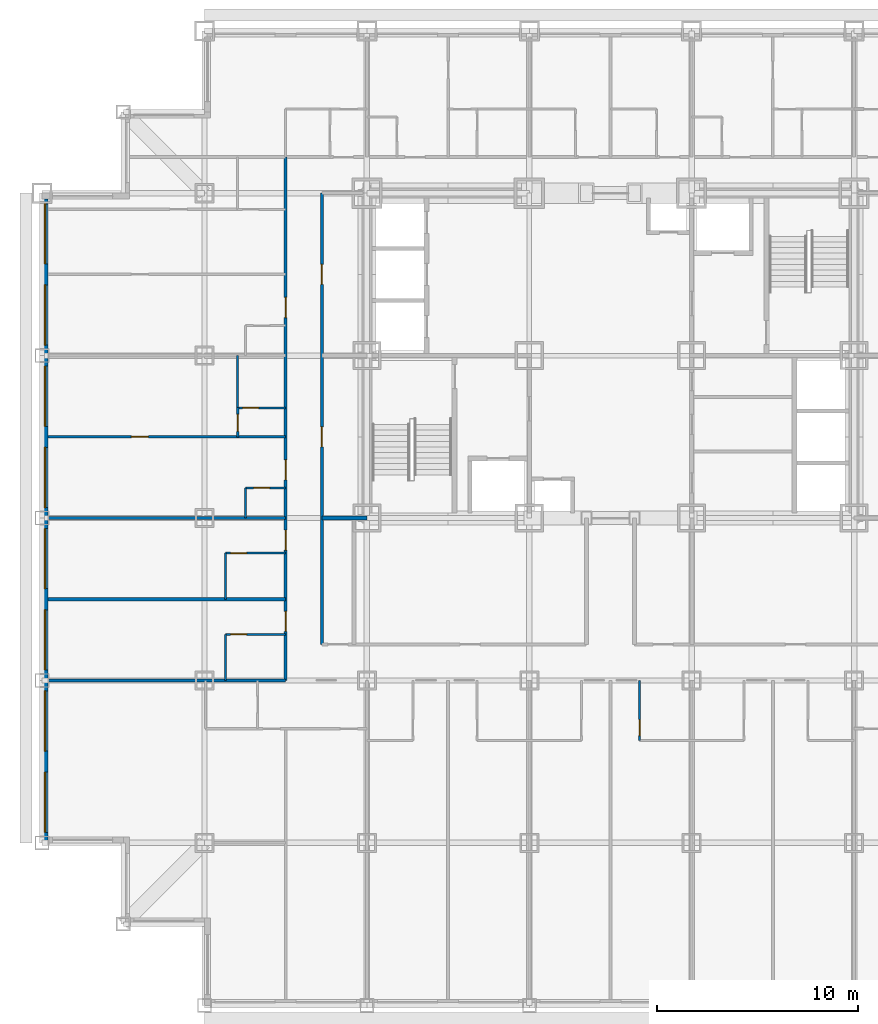
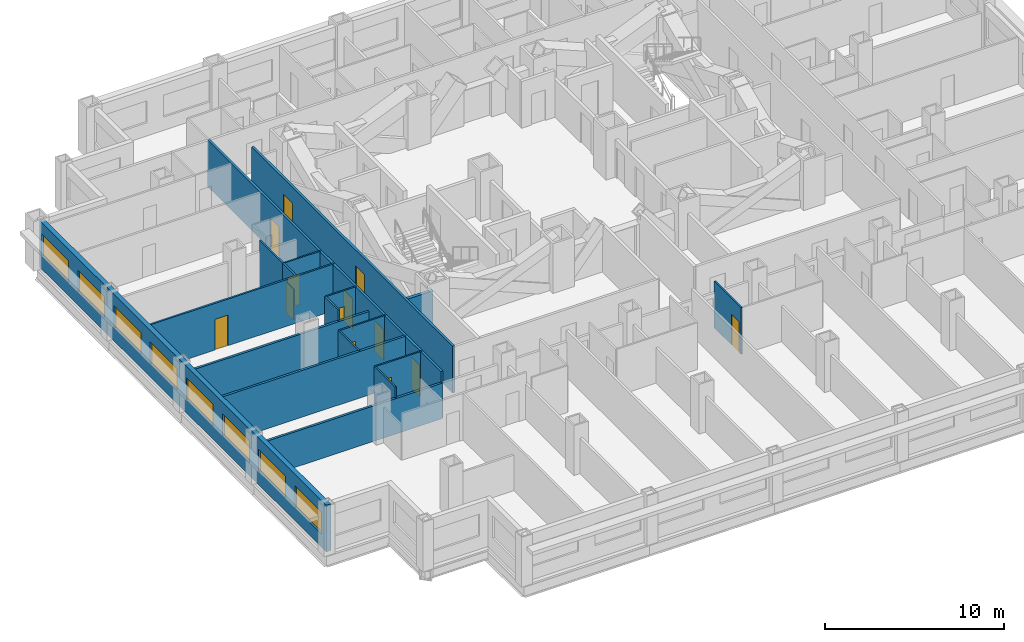
# One storey, part 4 of 11: 18 walls, 13 doors, 8 windows, 21 openings.
"""IFC4 building model written with IfcOpenShell, lengths in metres."""

from ifc_helpers import new_model, si_unit, direction, frame, frame_2d, origin, place, context, subcontext, project, spatial, rectangle, extrude, material, layer, layer_set, type_object, element, fill, save


model = new_model("IFC4")

# Units and contexts
model_context = context("Model", 3, precision=1e-05, world=origin(), true_north=direction((0.0, 1.0)))
body_context = subcontext(model_context, "Body", "Model", "MODEL_VIEW")
ifc_project = project(units=[si_unit("LENGTHUNIT", "METRE"), si_unit("AREAUNIT", "SQUARE_METRE"), si_unit("VOLUMEUNIT", "CUBIC_METRE"), si_unit("PLANEANGLEUNIT", "RADIAN"), si_unit("MASSUNIT", "GRAM", prefix="KILO")], contexts=[model_context])

# Site, building, storey
site_placement = place(None, origin())
site = spatial("IfcSite", under=ifc_project, at=site_placement, CompositionType="ELEMENT")
building_placement = place(site_placement, origin())
building = spatial("IfcBuilding", under=site, at=building_placement, Name="Kopane Lantern Tower", CompositionType="ELEMENT")
storey_placement = place(building_placement, frame((0.0, 0.0, 84.0)))
storey = spatial("IfcBuildingStorey", under=building, at=storey_placement, Name="L21", CompositionType="ELEMENT", Elevation=84.0)

# Wall, opening, door
ifc_material_1 = material(Name="Gypsum board on steel studs", Category="steel")
ifc_layer_1 = layer(ifc_material_1, 0.1201171875)
ifc_layer_set_1 = layer_set([ifc_layer_1], Name="APARTMENT INTERNAL WALL 120")
wall_type_1 = type_object("IfcWallType", Name="APARTMENT INTERNAL WALL 120", PredefinedType="PARTITIONING", material=ifc_layer_set_1)
wall_1_placement = place(storey_placement, frame((12.14990234375, 28.35009765625, 0.0), z_axis=(0.0, 0.0, 1.0), x_axis=(-1.0, 0.0, 0.0)))
wall_1 = element("IfcWall", 1, at=wall_1_placement, inside=storey, type_object=wall_type_1, Name="Apartment Internal Wall 120 L21", PredefinedType="PARTITIONING", context=body_context, shape_type="SweptSolid", body=[
    extrude(rectangle(XDim=11.849853515625, YDim=0.1201171875, at=frame_2d((5.9248046875, 0.0))), origin(), (0.0, 0.0, 1.0), 3.18994140625),
])
opening_1_placement = place(wall_1_placement, frame((6.85009765625, 0.0, 0.0)))
opening_1 = element("IfcOpeningElement", 2, at=opening_1_placement, cuts=wall_1, Name="Opening L21-040", PredefinedType="OPENING", context=body_context, shape_type="SweptSolid", body=[
    extrude(rectangle(XDim=0.85009765625, YDim=2.10009765625, at=frame_2d((0.425048828125, 1.050048828125))), frame((0.0, 0.070068359375, 0.0), z_axis=(0.0, -1.0, 0.0), x_axis=(1.0, 0.0, 0.0)), (0.0, 0.0, 1.0), 0.14013671875),
])
ifc_material_2 = material(Name="Timber door set", Category="wood")
door_type_1 = type_object("IfcDoorType", Name="DOOR D4 850x2100", OperationType="SINGLE_SWING_LEFT", PredefinedType="DOOR", material=ifc_material_2)
door_1_placement = place(opening_1_placement, origin())
door_1 = element("IfcDoor", 3, at=door_1_placement, inside=storey, type_object=door_type_1, Name="Door L21-040", OperationType="SINGLE_SWING_RIGHT", OverallHeight=2.10009765625, OverallWidth=0.85009765625, PredefinedType="DOOR", context=body_context, shape_type="SweptSolid", body=[
    extrude(rectangle(XDim=0.85009765625, YDim=2.10009765625, at=frame_2d((0.425048828125, 1.050048828125))), frame((0.0, 0.02490234375, 0.0), z_axis=(0.0, -1.0, 0.0), x_axis=(1.0, 0.0, 0.0)), (0.0, 0.0, 1.0), 0.050048828125),
])
fill(opening_1, door_1)

wall_2_placement = place(storey_placement, frame((9.75, 28.35009765625, 0.0), z_axis=(0.0, 0.0, 1.0), x_axis=(0.0, 1.0, 0.0)))
wall_2 = element("IfcWall", 4, at=wall_2_placement, inside=storey, type_object=wall_type_1, Name="Apartment Internal Wall 120 L21", PredefinedType="PARTITIONING", context=body_context, shape_type="SweptSolid", body=[
    extrude(rectangle(XDim=1.4599609375, YDim=0.1201171875, at=frame_2d((0.72998046875, 0.0))), origin(), (0.0, 0.0, 1.0), 3.18994140625),
])
opening_2_placement = place(wall_2_placement, frame((0.27490234375, 0.0, 0.0)))
opening_2 = element("IfcOpeningElement", 5, at=opening_2_placement, cuts=wall_2, Name="Opening L21-073", PredefinedType="OPENING", context=body_context, shape_type="SweptSolid", body=[
    extrude(rectangle(XDim=0.85009765625, YDim=2.10009765625, at=frame_2d((0.425048828125, 1.050048828125))), frame((0.0, 0.070068359375, 0.0), z_axis=(0.0, -1.0, 0.0), x_axis=(1.0, 0.0, 0.0)), (0.0, 0.0, 1.0), 0.14013671875),
])
door_2_placement = place(opening_2_placement, origin())
door_2 = element("IfcDoor", 6, at=door_2_placement, inside=storey, type_object=door_type_1, Name="Door L21-073", OperationType="SINGLE_SWING_LEFT", OverallHeight=2.10009765625, OverallWidth=0.85009765625, PredefinedType="DOOR", context=body_context, shape_type="SweptSolid", body=[
    extrude(rectangle(XDim=0.85009765625, YDim=2.10009765625, at=frame_2d((0.425048828125, 1.050048828125))), frame((0.0, 0.02490234375, 0.0), z_axis=(0.0, -1.0, 0.0), x_axis=(1.0, 0.0, 0.0)), (0.0, 0.0, 1.0), 0.050048828125),
])
fill(opening_2, door_2)

ifc_material_3 = material(Name="Moisture-resistant board on steel studs", Category="steel")
ifc_layer_2 = layer(ifc_material_3, 0.10009765625)
ifc_layer_set_2 = layer_set([ifc_layer_2], Name="BATHROOM WALL 100")
wall_type_2 = type_object("IfcWallType", Name="BATHROOM WALL 100", PredefinedType="PARTITIONING", material=ifc_layer_set_2)
wall_3_placement = place(storey_placement, frame((29.800048828125, 16.199951171875, 0.0), z_axis=(0.0, 0.0, 1.0), x_axis=(0.0, -1.0, 0.0)))
wall_3 = element("IfcWall", 7, at=wall_3_placement, inside=storey, type_object=wall_type_2, Name="Bathroom Wall 100 L21", PredefinedType="PARTITIONING", context=body_context, shape_type="SweptSolid", body=[
    extrude(rectangle(XDim=3.0, YDim=0.10009765625, at=frame_2d((1.5, 0.0))), origin(), (0.0, 0.0, 1.0), 3.18994140625),
])
opening_3_placement = place(wall_3_placement, frame((1.949951171875, 0.0, 0.0)))
opening_3 = element("IfcOpeningElement", 8, at=opening_3_placement, cuts=wall_3, Name="Opening L21-015", PredefinedType="OPENING", context=body_context, shape_type="SweptSolid", body=[
    extrude(rectangle(XDim=0.800048828125, YDim=2.10009765625, at=frame_2d((0.39990234375, 1.050048828125))), frame((0.0, 0.06005859375, 0.0), z_axis=(0.0, -1.0, 0.0), x_axis=(1.0, 0.0, 0.0)), (0.0, 0.0, 1.0), 0.1201171875),
])
ifc_material_4 = material(Name="Timber door set", Category="wood")
door_type_2 = type_object("IfcDoorType", Name="DOOR D2 800x2100", OperationType="SINGLE_SWING_LEFT", PredefinedType="DOOR", material=ifc_material_4)
door_3_placement = place(opening_3_placement, origin())
door_3 = element("IfcDoor", 9, at=door_3_placement, inside=storey, type_object=door_type_2, Name="Door L21-015", OperationType="SINGLE_SWING_RIGHT", OverallHeight=2.10009765625, OverallWidth=0.800048828125, PredefinedType="DOOR", context=body_context, shape_type="SweptSolid", body=[
    extrude(rectangle(XDim=0.800048828125, YDim=2.10009765625, at=frame_2d((0.39990234375, 1.050048828125))), frame((0.0, 0.02490234375, 0.0), z_axis=(0.0, -1.0, 0.0), x_axis=(1.0, 0.0, 0.0)), (0.0, 0.0, 1.0), 0.050048828125),
])
fill(opening_3, door_3)

# Wall
wall_4_placement = place(storey_placement, frame((9.14990234375, 16.199951171875, 0.0), z_axis=(0.0, 0.0, 1.0), x_axis=(0.0, 1.0, 0.0)))
element("IfcWall", 10, at=wall_4_placement, inside=storey, type_object=wall_type_2, Name="Bathroom Wall 100 L21", PredefinedType="PARTITIONING", context=body_context, shape_type="SweptSolid", body=[
    extrude(rectangle(XDim=2.300048828125, YDim=0.10009765625, at=frame_2d((1.14990234375, 0.0))), origin(), (0.0, 0.0, 1.0), 3.18994140625),
])

# Wall, opening, door
wall_5_placement = place(storey_placement, frame((12.14990234375, 18.5, 0.0), z_axis=(0.0, 0.0, 1.0), x_axis=(-1.0, 0.0, 0.0)))
wall_5 = element("IfcWall", 11, at=wall_5_placement, inside=storey, type_object=wall_type_2, Name="Bathroom Wall 100 L21", PredefinedType="PARTITIONING", context=body_context, shape_type="SweptSolid", body=[
    extrude(rectangle(XDim=3.0, YDim=0.10009765625, at=frame_2d((1.5, 0.0))), origin(), (0.0, 0.0, 1.0), 3.18994140625),
])
opening_4_placement = place(wall_5_placement, frame((1.949951171875, 0.0, 0.0)))
opening_4 = element("IfcOpeningElement", 12, at=opening_4_placement, cuts=wall_5, Name="Opening L21-033", PredefinedType="OPENING", context=body_context, shape_type="SweptSolid", body=[
    extrude(rectangle(XDim=0.800048828125, YDim=2.10009765625, at=frame_2d((0.39990234375, 1.050048828125))), frame((0.0, 0.06005859375, 0.0), z_axis=(0.0, -1.0, 0.0), x_axis=(1.0, 0.0, 0.0)), (0.0, 0.0, 1.0), 0.1201171875),
])
door_4_placement = place(opening_4_placement, origin())
door_4 = element("IfcDoor", 13, at=door_4_placement, inside=storey, type_object=door_type_2, Name="Door L21-033", OperationType="SINGLE_SWING_RIGHT", OverallHeight=2.10009765625, OverallWidth=0.800048828125, PredefinedType="DOOR", context=body_context, shape_type="SweptSolid", body=[
    extrude(rectangle(XDim=0.800048828125, YDim=2.10009765625, at=frame_2d((0.39990234375, 1.050048828125))), frame((0.0, 0.02490234375, 0.0), z_axis=(0.0, -1.0, 0.0), x_axis=(1.0, 0.0, 0.0)), (0.0, 0.0, 1.0), 0.050048828125),
])
fill(opening_4, door_4)

# Wall
wall_6_placement = place(storey_placement, frame((9.14990234375, 20.25, 0.0), z_axis=(0.0, 0.0, 1.0), x_axis=(0.0, 1.0, 0.0)))
element("IfcWall", 14, at=wall_6_placement, inside=storey, type_object=wall_type_2, Name="Bathroom Wall 100 L21", PredefinedType="PARTITIONING", context=body_context, shape_type="SweptSolid", body=[
    extrude(rectangle(XDim=2.300048828125, YDim=0.10009765625, at=frame_2d((1.14990234375, 0.0))), origin(), (0.0, 0.0, 1.0), 3.18994140625),
])

# Wall, opening, door
wall_7_placement = place(storey_placement, frame((12.14990234375, 22.550048828125, 0.0), z_axis=(0.0, 0.0, 1.0), x_axis=(-1.0, 0.0, 0.0)))
wall_7 = element("IfcWall", 15, at=wall_7_placement, inside=storey, type_object=wall_type_2, Name="Bathroom Wall 100 L21", PredefinedType="PARTITIONING", context=body_context, shape_type="SweptSolid", body=[
    extrude(rectangle(XDim=3.0, YDim=0.10009765625, at=frame_2d((1.5, 0.0))), origin(), (0.0, 0.0, 1.0), 3.18994140625),
])
opening_5_placement = place(wall_7_placement, frame((1.949951171875, 0.0, 0.0)))
opening_5 = element("IfcOpeningElement", 16, at=opening_5_placement, cuts=wall_7, Name="Opening L21-035", PredefinedType="OPENING", context=body_context, shape_type="SweptSolid", body=[
    extrude(rectangle(XDim=0.800048828125, YDim=2.10009765625, at=frame_2d((0.39990234375, 1.050048828125))), frame((0.0, 0.06005859375, 0.0), z_axis=(0.0, -1.0, 0.0), x_axis=(1.0, 0.0, 0.0)), (0.0, 0.0, 1.0), 0.1201171875),
])
door_5_placement = place(opening_5_placement, origin())
door_5 = element("IfcDoor", 17, at=door_5_placement, inside=storey, type_object=door_type_2, Name="Door L21-035", OperationType="SINGLE_SWING_RIGHT", OverallHeight=2.10009765625, OverallWidth=0.800048828125, PredefinedType="DOOR", context=body_context, shape_type="SweptSolid", body=[
    extrude(rectangle(XDim=0.800048828125, YDim=2.10009765625, at=frame_2d((0.39990234375, 1.050048828125))), frame((0.0, 0.02490234375, 0.0), z_axis=(0.0, -1.0, 0.0), x_axis=(1.0, 0.0, 0.0)), (0.0, 0.0, 1.0), 0.050048828125),
])
fill(opening_5, door_5)

# Wall
wall_8_placement = place(storey_placement, frame((10.14990234375, 24.300048828125, 0.0), z_axis=(0.0, 0.0, 1.0), x_axis=(0.0, 1.0, 0.0)))
element("IfcWall", 18, at=wall_8_placement, inside=storey, type_object=wall_type_2, Name="Bathroom Wall 100 L21", PredefinedType="PARTITIONING", context=body_context, shape_type="SweptSolid", body=[
    extrude(rectangle(XDim=1.5, YDim=0.10009765625, at=frame_2d((0.75, 0.0))), origin(), (0.0, 0.0, 1.0), 3.18994140625),
])

# Wall, opening, door
wall_9_placement = place(storey_placement, frame((12.14990234375, 25.800048828125, 0.0), z_axis=(0.0, 0.0, 1.0), x_axis=(-1.0, 0.0, 0.0)))
wall_9 = element("IfcWall", 19, at=wall_9_placement, inside=storey, type_object=wall_type_2, Name="Bathroom Wall 100 L21", PredefinedType="PARTITIONING", context=body_context, shape_type="SweptSolid", body=[
    extrude(rectangle(XDim=2.0, YDim=0.10009765625, at=frame_2d((1.0, 0.0))), origin(), (0.0, 0.0, 1.0), 3.18994140625),
])
opening_6_placement = place(wall_9_placement, frame((0.800048828125, 0.0, 0.0)))
opening_6 = element("IfcOpeningElement", 20, at=opening_6_placement, cuts=wall_9, Name="Opening L21-037", PredefinedType="OPENING", context=body_context, shape_type="SweptSolid", body=[
    extrude(rectangle(XDim=0.800048828125, YDim=2.10009765625, at=frame_2d((0.39990234375, 1.050048828125))), frame((0.0, 0.06005859375, 0.0), z_axis=(0.0, -1.0, 0.0), x_axis=(1.0, 0.0, 0.0)), (0.0, 0.0, 1.0), 0.1201171875),
])
door_6_placement = place(opening_6_placement, origin())
door_6 = element("IfcDoor", 21, at=door_6_placement, inside=storey, type_object=door_type_2, Name="Door L21-037", OperationType="SINGLE_SWING_RIGHT", OverallHeight=2.10009765625, OverallWidth=0.800048828125, PredefinedType="DOOR", context=body_context, shape_type="SweptSolid", body=[
    extrude(rectangle(XDim=0.800048828125, YDim=2.10009765625, at=frame_2d((0.39990234375, 1.050048828125))), frame((0.0, 0.02490234375, 0.0), z_axis=(0.0, -1.0, 0.0), x_axis=(1.0, 0.0, 0.0)), (0.0, 0.0, 1.0), 0.050048828125),
])
fill(opening_6, door_6)

# Wall
wall_10_placement = place(storey_placement, frame((9.75, 29.800048828125, 0.0), z_axis=(0.0, 0.0, 1.0), x_axis=(0.0, 1.0, 0.0)))
element("IfcWall", 22, at=wall_10_placement, inside=storey, type_object=wall_type_2, Name="Bathroom Wall 100 L21", PredefinedType="PARTITIONING", context=body_context, shape_type="SweptSolid", body=[
    extrude(rectangle(XDim=2.599853515625, YDim=0.10009765625, at=frame_2d((1.2998046875, 0.0))), origin(), (0.0, 0.0, 1.0), 3.18994140625),
])

# Wall, opening, door
wall_11_placement = place(storey_placement, frame((12.14990234375, 29.800048828125, 0.0), z_axis=(0.0, 0.0, 1.0), x_axis=(-1.0, 0.0, 0.0)))
wall_11 = element("IfcWall", 23, at=wall_11_placement, inside=storey, type_object=wall_type_2, Name="Bathroom Wall 100 L21", PredefinedType="PARTITIONING", context=body_context, shape_type="SweptSolid", body=[
    extrude(rectangle(XDim=2.39990234375, YDim=0.10009765625, at=frame_2d((1.199951171875, 0.0))), origin(), (0.0, 0.0, 1.0), 3.18994140625),
])
opening_7_placement = place(wall_11_placement, frame((1.35009765625, 0.0, 0.0)))
opening_7 = element("IfcOpeningElement", 24, at=opening_7_placement, cuts=wall_11, Name="Opening L21-039", PredefinedType="OPENING", context=body_context, shape_type="SweptSolid", body=[
    extrude(rectangle(XDim=0.800048828125, YDim=2.10009765625, at=frame_2d((0.39990234375, 1.050048828125))), frame((0.0, 0.06005859375, 0.0), z_axis=(0.0, -1.0, 0.0), x_axis=(1.0, 0.0, 0.0)), (0.0, 0.0, 1.0), 0.1201171875),
])
door_7_placement = place(opening_7_placement, origin())
door_7 = element("IfcDoor", 25, at=door_7_placement, inside=storey, type_object=door_type_2, Name="Door L21-039", OperationType="SINGLE_SWING_RIGHT", OverallHeight=2.10009765625, OverallWidth=0.800048828125, PredefinedType="DOOR", context=body_context, shape_type="SweptSolid", body=[
    extrude(rectangle(XDim=0.800048828125, YDim=2.10009765625, at=frame_2d((0.39990234375, 1.050048828125))), frame((0.0, 0.02490234375, 0.0), z_axis=(0.0, -1.0, 0.0), x_axis=(1.0, 0.0, 0.0)), (0.0, 0.0, 1.0), 0.050048828125),
])
fill(opening_7, door_7)

# Wall, openings, doors
ifc_material_5 = material(Name="Gypsum board on steel studs", Category="steel")
ifc_layer_3 = layer(ifc_material_5, 0.14990234375)
ifc_layer_set_3 = layer_set([ifc_layer_3], Name="CORRIDOR WALL 150 EI 60")
wall_type_3 = type_object("IfcWallType", Name="CORRIDOR WALL 150 EI 60", PredefinedType="PARTITIONING", material=ifc_layer_set_3)
wall_12_placement = place(storey_placement, frame((12.14990234375, 16.199951171875, 0.0), z_axis=(0.0, 0.0, 1.0), x_axis=(0.0, 1.0, 0.0)))
wall_12 = element("IfcWall", 26, at=wall_12_placement, inside=storey, type_object=wall_type_3, Name="Corridor Wall 150 Ei 60 L21", PredefinedType="PARTITIONING", context=body_context, shape_type="SweptSolid", body=[
    extrude(rectangle(XDim=26.10009765625, YDim=0.14990234375, at=frame_2d((13.050048828125, 0.0))), origin(), (0.0, 0.0, 1.0), 3.18994140625),
])
opening_8_placement = place(wall_12_placement, frame((2.449951171875, 0.0, 0.0)))
opening_8 = element("IfcOpeningElement", 27, at=opening_8_placement, cuts=wall_12, Name="Opening L21-034", PredefinedType="OPENING", context=body_context, shape_type="SweptSolid", body=[
    extrude(rectangle(XDim=1.0, YDim=2.10009765625, at=frame_2d((0.5, 1.050048828125))), frame((0.0, 0.0849609375, 0.0), z_axis=(0.0, -1.0, 0.0), x_axis=(1.0, 0.0, 0.0)), (0.0, 0.0, 1.0), 0.169921875),
])
opening_9_placement = place(wall_12_placement, frame((6.5, 0.0, 0.0)))
opening_9 = element("IfcOpeningElement", 28, at=opening_9_placement, cuts=wall_12, Name="Opening L21-036", PredefinedType="OPENING", context=body_context, shape_type="SweptSolid", body=[
    extrude(rectangle(XDim=1.0, YDim=2.10009765625, at=frame_2d((0.5, 1.050048828125))), frame((0.0, 0.0849609375, 0.0), z_axis=(0.0, -1.0, 0.0), x_axis=(1.0, 0.0, 0.0)), (0.0, 0.0, 1.0), 0.169921875),
])
opening_10_placement = place(wall_12_placement, frame((10.0, 0.0, 0.0)))
opening_10 = element("IfcOpeningElement", 29, at=opening_10_placement, cuts=wall_12, Name="Opening L21-038", PredefinedType="OPENING", context=body_context, shape_type="SweptSolid", body=[
    extrude(rectangle(XDim=1.0, YDim=2.10009765625, at=frame_2d((0.5, 1.050048828125))), frame((0.0, 0.0849609375, 0.0), z_axis=(0.0, -1.0, 0.0), x_axis=(1.0, 0.0, 0.0)), (0.0, 0.0, 1.0), 0.169921875),
])
opening_11_placement = place(wall_12_placement, frame((18.10009765625, 0.0, 0.0)))
opening_11 = element("IfcOpeningElement", 30, at=opening_11_placement, cuts=wall_12, Name="Opening L21-042", PredefinedType="OPENING", context=body_context, shape_type="SweptSolid", body=[
    extrude(rectangle(XDim=1.0, YDim=2.10009765625, at=frame_2d((0.5, 1.050048828125))), frame((0.0, 0.0849609375, 0.0), z_axis=(0.0, -1.0, 0.0), x_axis=(1.0, 0.0, 0.0)), (0.0, 0.0, 1.0), 0.169921875),
])
ifc_material_6 = material(Name="Steel door set", Category="steel")
door_type_3 = type_object("IfcDoorType", Name="DOOR D1 1000x2100 FD30S", OperationType="SINGLE_SWING_LEFT", PredefinedType="DOOR", material=ifc_material_6)
door_8_placement = place(opening_8_placement, origin())
door_8 = element("IfcDoor", 31, at=door_8_placement, inside=storey, type_object=door_type_3, Name="Door L21-034", OperationType="SINGLE_SWING_LEFT", OverallHeight=2.10009765625, OverallWidth=1.0, PredefinedType="DOOR", context=body_context, shape_type="SweptSolid", body=[
    extrude(rectangle(XDim=1.0, YDim=2.10009765625, at=frame_2d((0.5, 1.050048828125))), frame((0.0, 0.02490234375, 0.0), z_axis=(0.0, -1.0, 0.0), x_axis=(1.0, 0.0, 0.0)), (0.0, 0.0, 1.0), 0.050048828125),
])
fill(opening_8, door_8)
door_9_placement = place(opening_9_placement, origin())
door_9 = element("IfcDoor", 32, at=door_9_placement, inside=storey, type_object=door_type_3, Name="Door L21-036", OperationType="SINGLE_SWING_LEFT", OverallHeight=2.10009765625, OverallWidth=1.0, PredefinedType="DOOR", context=body_context, shape_type="SweptSolid", body=[
    extrude(rectangle(XDim=1.0, YDim=2.10009765625, at=frame_2d((0.5, 1.050048828125))), frame((0.0, 0.02490234375, 0.0), z_axis=(0.0, -1.0, 0.0), x_axis=(1.0, 0.0, 0.0)), (0.0, 0.0, 1.0), 0.050048828125),
])
fill(opening_9, door_9)
door_10_placement = place(opening_10_placement, origin())
door_10 = element("IfcDoor", 33, at=door_10_placement, inside=storey, type_object=door_type_3, Name="Door L21-038", OperationType="SINGLE_SWING_LEFT", OverallHeight=2.10009765625, OverallWidth=1.0, PredefinedType="DOOR", context=body_context, shape_type="SweptSolid", body=[
    extrude(rectangle(XDim=1.0, YDim=2.10009765625, at=frame_2d((0.5, 1.050048828125))), frame((0.0, 0.02490234375, 0.0), z_axis=(0.0, -1.0, 0.0), x_axis=(1.0, 0.0, 0.0)), (0.0, 0.0, 1.0), 0.050048828125),
])
fill(opening_10, door_10)
door_11_placement = place(opening_11_placement, origin())
door_11 = element("IfcDoor", 34, at=door_11_placement, inside=storey, type_object=door_type_3, Name="Door L21-042", OperationType="SINGLE_SWING_LEFT", OverallHeight=2.10009765625, OverallWidth=1.0, PredefinedType="DOOR", context=body_context, shape_type="SweptSolid", body=[
    extrude(rectangle(XDim=1.0, YDim=2.10009765625, at=frame_2d((0.5, 1.050048828125))), frame((0.0, 0.02490234375, 0.0), z_axis=(0.0, -1.0, 0.0), x_axis=(1.0, 0.0, 0.0)), (0.0, 0.0, 1.0), 0.050048828125),
])
fill(opening_11, door_11)

wall_13_placement = place(storey_placement, frame((13.949951171875, 40.5, 0.0), z_axis=(0.0, 0.0, 1.0), x_axis=(0.0, -1.0, 0.0)))
wall_13 = element("IfcWall", 35, at=wall_13_placement, inside=storey, type_object=wall_type_3, Name="Corridor Wall 150 Ei 60 L21", PredefinedType="PARTITIONING", context=body_context, shape_type="SweptSolid", body=[
    extrude(rectangle(XDim=22.5, YDim=0.14990234375, at=frame_2d((11.25, 0.0))), origin(), (0.0, 0.0, 1.0), 3.18994140625),
])
opening_12_placement = place(wall_13_placement, frame((11.64990234375, 0.0, 0.0)))
opening_12 = element("IfcOpeningElement", 36, at=opening_12_placement, cuts=wall_13, Name="Opening L21-001", PredefinedType="OPENING", context=body_context, shape_type="SweptSolid", body=[
    extrude(rectangle(XDim=1.0, YDim=2.10009765625, at=frame_2d((0.5, 1.050048828125))), frame((0.0, 0.0849609375, 0.0), z_axis=(0.0, -1.0, 0.0), x_axis=(1.0, 0.0, 0.0)), (0.0, 0.0, 1.0), 0.169921875),
])
opening_13_placement = place(wall_13_placement, frame((3.550048828125, 0.0, 0.0)))
opening_13 = element("IfcOpeningElement", 37, at=opening_13_placement, cuts=wall_13, Name="Opening L21-002", PredefinedType="OPENING", context=body_context, shape_type="SweptSolid", body=[
    extrude(rectangle(XDim=1.0, YDim=2.10009765625, at=frame_2d((0.5, 1.050048828125))), frame((0.0, 0.0849609375, 0.0), z_axis=(0.0, -1.0, 0.0), x_axis=(1.0, 0.0, 0.0)), (0.0, 0.0, 1.0), 0.169921875),
])
ifc_material_7 = material(Name="Steel door set", Category="steel")
door_type_4 = type_object("IfcDoorType", Name="DOOR D5 1000x2100 FD60", OperationType="SINGLE_SWING_LEFT", PredefinedType="DOOR", material=ifc_material_7)
door_12_placement = place(opening_12_placement, origin())
door_12 = element("IfcDoor", 38, at=door_12_placement, inside=storey, type_object=door_type_4, Name="Door L21-001", OperationType="SINGLE_SWING_RIGHT", OverallHeight=2.10009765625, OverallWidth=1.0, PredefinedType="DOOR", context=body_context, shape_type="SweptSolid", body=[
    extrude(rectangle(XDim=1.0, YDim=2.10009765625, at=frame_2d((0.5, 1.050048828125))), frame((0.0, 0.02490234375, 0.0), z_axis=(0.0, -1.0, 0.0), x_axis=(1.0, 0.0, 0.0)), (0.0, 0.0, 1.0), 0.050048828125),
])
fill(opening_12, door_12)
door_13_placement = place(opening_13_placement, origin())
door_13 = element("IfcDoor", 39, at=door_13_placement, inside=storey, type_object=door_type_4, Name="Door L21-002", OperationType="SINGLE_SWING_LEFT", OverallHeight=2.10009765625, OverallWidth=1.0, PredefinedType="DOOR", context=body_context, shape_type="SweptSolid", body=[
    extrude(rectangle(XDim=1.0, YDim=2.10009765625, at=frame_2d((0.5, 1.050048828125))), frame((0.0, 0.02490234375, 0.0), z_axis=(0.0, -1.0, 0.0), x_axis=(1.0, 0.0, 0.0)), (0.0, 0.0, 1.0), 0.050048828125),
])
fill(opening_13, door_13)

# Walls
ifc_material_8 = material(Name="Gypsum board on steel studs", Category="steel")
ifc_layer_4 = layer(ifc_material_8, 0.14990234375)
ifc_layer_set_4 = layer_set([ifc_layer_4], Name="DEMISING WALL 150 EI 60")
wall_type_4 = type_object("IfcWallType", Name="DEMISING WALL 150 EI 60", PredefinedType="PARTITIONING", material=ifc_layer_set_4)
wall_14_placement = place(storey_placement, frame((12.14990234375, 20.25, 0.0), z_axis=(0.0, 0.0, 1.0), x_axis=(-1.0, 0.0, 0.0)))
element("IfcWall", 40, at=wall_14_placement, inside=storey, type_object=wall_type_4, Name="Demising Wall 150 Ei 60 L21", PredefinedType="PARTITIONING", context=body_context, shape_type="SweptSolid", body=[
    extrude(rectangle(XDim=11.849853515625, YDim=0.14990234375, at=frame_2d((5.9248046875, 0.0))), origin(), (0.0, 0.0, 1.0), 3.18994140625),
])
for number, where, z_axis, x_axis, name in (
    (41, (12.14990234375, 24.300048828125, 0.0), (0.0, 0.0, 1.0), (-1.0, 0.0, 0.0), "Demising Wall 150 Ei 60 L21"),
    (42, (0.300048828125, 16.199951171875, 0.0), (0.0, 0.0, 1.0), (1.0, 0.0, 0.0), "Demising Wall 150 Ei 60 L21"),
):
    element("IfcWall", number, at=place(storey_placement, frame(where, z_axis=z_axis, x_axis=x_axis)), inside=storey, type_object=wall_type_4, Name=name, PredefinedType="PARTITIONING", context=body_context, shape_type="SweptSolid", body=[
        extrude(rectangle(XDim=11.849853515625, YDim=0.14990234375, at=frame_2d((5.9248046875, 0.0))), origin(), (0.0, 0.0, 1.0), 2.427734375),
    ])

# Wall, openings, windows
ifc_material_9 = material(Name="Terracotta rainscreen on light steel framing", Category="masonry")
ifc_layer_5 = layer(ifc_material_9, 0.300048828125)
ifc_layer_set_5 = layer_set([ifc_layer_5], Name="EXTERNAL WALL EW1 300 TERRACOTTA")
wall_type_5 = type_object("IfcWallType", Name="EXTERNAL WALL EW1 300 TERRACOTTA", PredefinedType="SOLIDWALL", material=ifc_layer_set_5)
wall_15_placement = place(storey_placement, frame((0.14990234375, 40.199951171875, 0.0), z_axis=(0.0, 0.0, 1.0), x_axis=(0.0, -1.0, 0.0)))
wall_15 = element("IfcWall", 43, at=wall_15_placement, inside=storey, type_object=wall_type_5, Name="External wall W L21", PredefinedType="SOLIDWALL", context=body_context, shape_type="SweptSolid", body=[
    extrude(rectangle(XDim=32.099853515625, YDim=0.300048828125, at=frame_2d((16.0498046875, 0.0))), origin(), (0.0, 0.0, 1.0), 3.18994140625),
])
opening_14_placement = place(wall_15_placement, frame((0.22509765625, 0.0, 0.89990234375)))
opening_14 = element("IfcOpeningElement", 44, at=opening_14_placement, cuts=wall_15, Name="Opening WR300150", PredefinedType="OPENING", context=body_context, shape_type="SweptSolid", body=[
    extrude(rectangle(XDim=3.0, YDim=1.5, at=frame_2d((1.5, 0.75))), frame((0.0, 0.159912109375, 0.0), z_axis=(0.0, -1.0, 0.0), x_axis=(1.0, 0.0, 0.0)), (0.0, 0.0, 1.0), 0.320068359375),
])
opening_15_placement = place(wall_15_placement, frame((4.27490234375, 0.0, 0.89990234375)))
opening_15 = element("IfcOpeningElement", 45, at=opening_15_placement, cuts=wall_15, Name="Opening WR300150", PredefinedType="OPENING", context=body_context, shape_type="SweptSolid", body=[
    extrude(rectangle(XDim=3.0, YDim=1.5, at=frame_2d((1.5, 0.75))), frame((0.0, 0.159912109375, 0.0), z_axis=(0.0, -1.0, 0.0), x_axis=(1.0, 0.0, 0.0)), (0.0, 0.0, 1.0), 0.320068359375),
])
opening_16_placement = place(wall_15_placement, frame((8.324951171875, 0.0, 0.89990234375)))
opening_16 = element("IfcOpeningElement", 46, at=opening_16_placement, cuts=wall_15, Name="Opening WR300150", PredefinedType="OPENING", context=body_context, shape_type="SweptSolid", body=[
    extrude(rectangle(XDim=3.0, YDim=1.5, at=frame_2d((1.5, 0.75))), frame((0.0, 0.159912109375, 0.0), z_axis=(0.0, -1.0, 0.0), x_axis=(1.0, 0.0, 0.0)), (0.0, 0.0, 1.0), 0.320068359375),
])
opening_17_placement = place(wall_15_placement, frame((12.375, 0.0, 0.89990234375)))
opening_17 = element("IfcOpeningElement", 47, at=opening_17_placement, cuts=wall_15, Name="Opening WR300150", PredefinedType="OPENING", context=body_context, shape_type="SweptSolid", body=[
    extrude(rectangle(XDim=3.0, YDim=1.5, at=frame_2d((1.5, 0.75))), frame((0.0, 0.159912109375, 0.0), z_axis=(0.0, -1.0, 0.0), x_axis=(1.0, 0.0, 0.0)), (0.0, 0.0, 1.0), 0.320068359375),
])
opening_18_placement = place(wall_15_placement, frame((16.425048828125, 0.0, 0.89990234375)))
opening_18 = element("IfcOpeningElement", 48, at=opening_18_placement, cuts=wall_15, Name="Opening WR300150", PredefinedType="OPENING", context=body_context, shape_type="SweptSolid", body=[
    extrude(rectangle(XDim=3.0, YDim=1.5, at=frame_2d((1.5, 0.75))), frame((0.0, 0.159912109375, 0.0), z_axis=(0.0, -1.0, 0.0), x_axis=(1.0, 0.0, 0.0)), (0.0, 0.0, 1.0), 0.320068359375),
])
opening_19_placement = place(wall_15_placement, frame((20.47509765625, 0.0, 0.89990234375)))
opening_19 = element("IfcOpeningElement", 49, at=opening_19_placement, cuts=wall_15, Name="Opening WR300150", PredefinedType="OPENING", context=body_context, shape_type="SweptSolid", body=[
    extrude(rectangle(XDim=3.0, YDim=1.5, at=frame_2d((1.5, 0.75))), frame((0.0, 0.159912109375, 0.0), z_axis=(0.0, -1.0, 0.0), x_axis=(1.0, 0.0, 0.0)), (0.0, 0.0, 1.0), 0.320068359375),
])
opening_20_placement = place(wall_15_placement, frame((24.52490234375, 0.0, 0.89990234375)))
opening_20 = element("IfcOpeningElement", 50, at=opening_20_placement, cuts=wall_15, Name="Opening WR300150", PredefinedType="OPENING", context=body_context, shape_type="SweptSolid", body=[
    extrude(rectangle(XDim=3.0, YDim=1.5, at=frame_2d((1.5, 0.75))), frame((0.0, 0.159912109375, 0.0), z_axis=(0.0, -1.0, 0.0), x_axis=(1.0, 0.0, 0.0)), (0.0, 0.0, 1.0), 0.320068359375),
])
opening_21_placement = place(wall_15_placement, frame((28.574951171875, 0.0, 0.89990234375)))
opening_21 = element("IfcOpeningElement", 51, at=opening_21_placement, cuts=wall_15, Name="Opening WR300150", PredefinedType="OPENING", context=body_context, shape_type="SweptSolid", body=[
    extrude(rectangle(XDim=3.0, YDim=1.5, at=frame_2d((1.5, 0.75))), frame((0.0, 0.159912109375, 0.0), z_axis=(0.0, -1.0, 0.0), x_axis=(1.0, 0.0, 0.0)), (0.0, 0.0, 1.0), 0.320068359375),
])
ifc_material_10 = material(Name="Aluminium and clear glass", Category="aluminium")
window_type = type_object("IfcWindowType", Name="RIBBON WINDOW WR300150 3000x1500", PartitioningType="SINGLE_PANEL", PredefinedType="WINDOW", material=ifc_material_10)
window_1_placement = place(opening_14_placement, origin())
window_1 = element("IfcWindow", 52, at=window_1_placement, inside=storey, type_object=window_type, Name="Window W L21", OverallHeight=1.5, OverallWidth=3.0, PartitioningType="SINGLE_PANEL", PredefinedType="WINDOW", context=body_context, shape_type="SweptSolid", body=[
    extrude(rectangle(XDim=3.0, YDim=1.5, at=frame_2d((1.5, 0.75))), frame((0.0, 0.030029296875, 0.0), z_axis=(0.0, -1.0, 0.0), x_axis=(1.0, 0.0, 0.0)), (0.0, 0.0, 1.0), 0.06005859375),
])
fill(opening_14, window_1)
window_2_placement = place(opening_15_placement, origin())
window_2 = element("IfcWindow", 53, at=window_2_placement, inside=storey, type_object=window_type, Name="Window W L21", OverallHeight=1.5, OverallWidth=3.0, PartitioningType="SINGLE_PANEL", PredefinedType="WINDOW", context=body_context, shape_type="SweptSolid", body=[
    extrude(rectangle(XDim=3.0, YDim=1.5, at=frame_2d((1.5, 0.75))), frame((0.0, 0.030029296875, 0.0), z_axis=(0.0, -1.0, 0.0), x_axis=(1.0, 0.0, 0.0)), (0.0, 0.0, 1.0), 0.06005859375),
])
fill(opening_15, window_2)
window_3_placement = place(opening_16_placement, origin())
window_3 = element("IfcWindow", 54, at=window_3_placement, inside=storey, type_object=window_type, Name="Window W L21", OverallHeight=1.5, OverallWidth=3.0, PartitioningType="SINGLE_PANEL", PredefinedType="WINDOW", context=body_context, shape_type="SweptSolid", body=[
    extrude(rectangle(XDim=3.0, YDim=1.5, at=frame_2d((1.5, 0.75))), frame((0.0, 0.030029296875, 0.0), z_axis=(0.0, -1.0, 0.0), x_axis=(1.0, 0.0, 0.0)), (0.0, 0.0, 1.0), 0.06005859375),
])
fill(opening_16, window_3)
window_4_placement = place(opening_17_placement, origin())
window_4 = element("IfcWindow", 55, at=window_4_placement, inside=storey, type_object=window_type, Name="Window W L21", OverallHeight=1.5, OverallWidth=3.0, PartitioningType="SINGLE_PANEL", PredefinedType="WINDOW", context=body_context, shape_type="SweptSolid", body=[
    extrude(rectangle(XDim=3.0, YDim=1.5, at=frame_2d((1.5, 0.75))), frame((0.0, 0.030029296875, 0.0), z_axis=(0.0, -1.0, 0.0), x_axis=(1.0, 0.0, 0.0)), (0.0, 0.0, 1.0), 0.06005859375),
])
fill(opening_17, window_4)
window_5_placement = place(opening_18_placement, origin())
window_5 = element("IfcWindow", 56, at=window_5_placement, inside=storey, type_object=window_type, Name="Window W L21", OverallHeight=1.5, OverallWidth=3.0, PartitioningType="SINGLE_PANEL", PredefinedType="WINDOW", context=body_context, shape_type="SweptSolid", body=[
    extrude(rectangle(XDim=3.0, YDim=1.5, at=frame_2d((1.5, 0.75))), frame((0.0, 0.030029296875, 0.0), z_axis=(0.0, -1.0, 0.0), x_axis=(1.0, 0.0, 0.0)), (0.0, 0.0, 1.0), 0.06005859375),
])
fill(opening_18, window_5)
window_6_placement = place(opening_19_placement, origin())
window_6 = element("IfcWindow", 57, at=window_6_placement, inside=storey, type_object=window_type, Name="Window W L21", OverallHeight=1.5, OverallWidth=3.0, PartitioningType="SINGLE_PANEL", PredefinedType="WINDOW", context=body_context, shape_type="SweptSolid", body=[
    extrude(rectangle(XDim=3.0, YDim=1.5, at=frame_2d((1.5, 0.75))), frame((0.0, 0.030029296875, 0.0), z_axis=(0.0, -1.0, 0.0), x_axis=(1.0, 0.0, 0.0)), (0.0, 0.0, 1.0), 0.06005859375),
])
fill(opening_19, window_6)
window_7_placement = place(opening_20_placement, origin())
window_7 = element("IfcWindow", 58, at=window_7_placement, inside=storey, type_object=window_type, Name="Window W L21", OverallHeight=1.5, OverallWidth=3.0, PartitioningType="SINGLE_PANEL", PredefinedType="WINDOW", context=body_context, shape_type="SweptSolid", body=[
    extrude(rectangle(XDim=3.0, YDim=1.5, at=frame_2d((1.5, 0.75))), frame((0.0, 0.030029296875, 0.0), z_axis=(0.0, -1.0, 0.0), x_axis=(1.0, 0.0, 0.0)), (0.0, 0.0, 1.0), 0.06005859375),
])
fill(opening_20, window_7)
window_8_placement = place(opening_21_placement, origin())
window_8 = element("IfcWindow", 59, at=window_8_placement, inside=storey, type_object=window_type, Name="Window W L21", OverallHeight=1.5, OverallWidth=3.0, PartitioningType="SINGLE_PANEL", PredefinedType="WINDOW", context=body_context, shape_type="SweptSolid", body=[
    extrude(rectangle(XDim=3.0, YDim=1.5, at=frame_2d((1.5, 0.75))), frame((0.0, 0.030029296875, 0.0), z_axis=(0.0, -1.0, 0.0), x_axis=(1.0, 0.0, 0.0)), (0.0, 0.0, 1.0), 0.06005859375),
])
fill(opening_21, window_8)

# Wall
ifc_material_11 = material(Name="Concrete masonry", Category="masonry")
ifc_layer_6 = layer(ifc_material_11, 0.199951171875)
ifc_layer_set_6 = layer_set([ifc_layer_6], Name="PLANT ROOM WALL 200 EI 120")
wall_type_6 = type_object("IfcWallType", Name="PLANT ROOM WALL 200 EI 120", PredefinedType="SOLIDWALL", material=ifc_layer_set_6)
wall_16_placement = place(storey_placement, frame((13.949951171875, 24.300048828125, 0.0), z_axis=(0.0, 0.0, 1.0), x_axis=(1.0, 0.0, 0.0)))
element("IfcWall", 60, at=wall_16_placement, inside=storey, type_object=wall_type_6, Name="Plant Room Wall 200 Ei 120 L21", PredefinedType="SOLIDWALL", context=body_context, shape_type="SweptSolid", body=[
    extrude(rectangle(XDim=2.25, YDim=0.199951171875, at=frame_2d((1.125, 0.0))), origin(), (0.0, 0.0, 1.0), 2.427734375),
])

save(model, "model.ifc")
